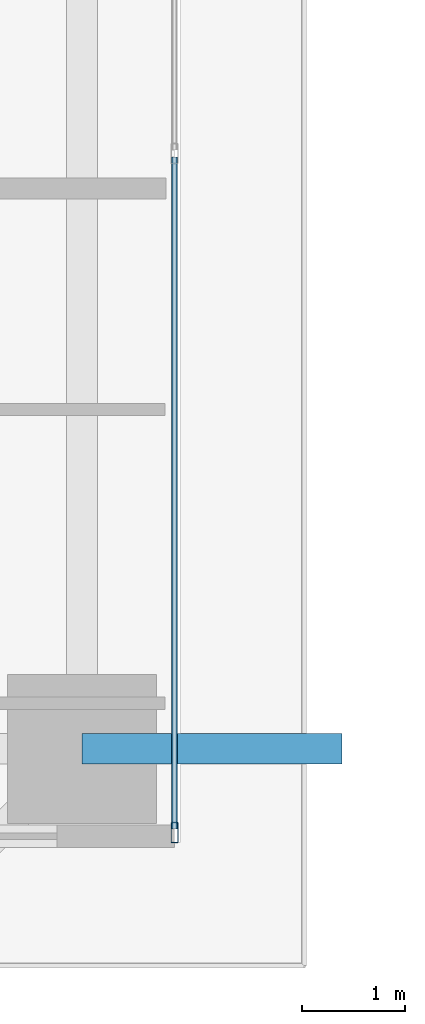
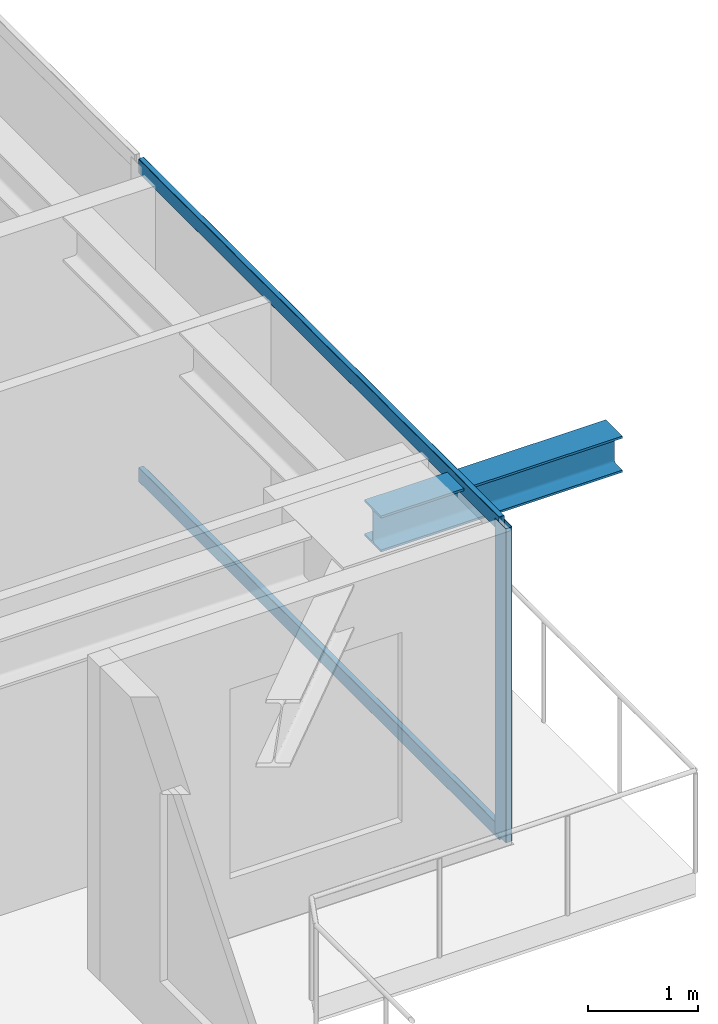
# One storey, part 13 of 41: 3 members, 1 beam, 1 element without a shape of its own.
"""IFC4 building model written with IfcOpenShell, lengths in metres."""

import ifcopenshell
import ifcopenshell.guid

model = None  # the IFC model being written
_history = None  # IfcOwnerHistory: only IFC2X3 demands one
_inside = {}  # id of a spatial element -> (the spatial element, [elements in it])
_under = {}  # id of a project, library or spatial element -> (it, [spatial elements below it])
_declared = {}  # id of a project -> (the project, [libraries it declares])
_typed = {}  # id of a type object -> (the type object, [elements of that type])
_made_of = {}  # id of a material, layer set ... -> (it, [elements and type objects made of it])


def new_model(schema):
    """Start an empty IFC model of exactly this schema.

    Asked for "IFC4X3", IfcOpenShell would pick the latest addendum, in which some entities
    have other attributes; the version numbers below select the first issue.
    IFC2X3 requires an IfcOwnerHistory on every rooted entity: one is made here for all.
    """
    global model, _history
    if schema == "IFC4X3":
        model = ifcopenshell.file(schema_version=(4, 3, 0, 0))
    else:
        model = ifcopenshell.file(schema=schema)
    _inside.clear()
    _under.clear()
    _declared.clear()
    _typed.clear()
    _made_of.clear()
    _history = None
    if model.schema == "IFC2X3":
        org = make("IfcOrganization", Name="unknown")
        user = make(
            "IfcPersonAndOrganization",
            ThePerson=make("IfcPerson", FamilyName="unknown"),
            TheOrganization=org,
        )
        app = make(
            "IfcApplication",
            ApplicationDeveloper=org,
            Version="unknown",
            ApplicationFullName="unknown",
            ApplicationIdentifier="unknown",
        )
        _history = make(
            "IfcOwnerHistory",
            OwningUser=user,
            OwningApplication=app,
            ChangeAction="ADDED",
            CreationDate=0,
        )
    return model


def make(cls, **values):
    """One entity of the class cls with the attributes given. An attribute that is None is left unset."""
    return model.create_entity(
        cls, **{name: value for name, value in values.items() if value is not None}
    )


def rooted(cls, **values):
    """An entity with a GlobalId (a new one), such as an element, a storey or a relation."""
    return make(cls, GlobalId=ifcopenshell.guid.new(), OwnerHistory=_history, **values)


def si_unit(unit_type, name, prefix=None):
    """IfcSIUnit, for example si_unit("LENGTHUNIT", "METRE", prefix="MILLI")."""
    return make("IfcSIUnit", UnitType=unit_type, Prefix=prefix, Name=name)


def assignment(units):
    """IfcUnitAssignment: the units of a project."""
    return None if units is None else make("IfcUnitAssignment", Units=units)


def point(xyz):
    """IfcCartesianPoint."""
    return None if xyz is None else make("IfcCartesianPoint", Coordinates=xyz)


def direction(xyz):
    """IfcDirection."""
    return None if xyz is None else make("IfcDirection", DirectionRatios=xyz)


def frame(location, z_axis=None, x_axis=None):
    """IfcAxis2Placement3D, a coordinate frame: its origin and axes. An axis left out is left unset."""
    return make(
        "IfcAxis2Placement3D",
        Location=point(location),
        Axis=direction(z_axis),
        RefDirection=direction(x_axis),
    )


def frame_2d(location, x_axis=None):
    """IfcAxis2Placement2D, a coordinate frame in the plane: its origin and x axis."""
    return make(
        "IfcAxis2Placement2D", Location=point(location), RefDirection=direction(x_axis)
    )


def origin():
    """The frame at (0, 0, 0) with its axes left unset."""
    return frame((0.0, 0.0, 0.0))


def origin_2d():
    """The frame at (0, 0) in the plane with its x axis left unset."""
    return frame_2d((0.0, 0.0))


def place(relative_to, where):
    """IfcLocalPlacement: puts the frame where relative to a parent placement (None: the world)."""
    return make(
        "IfcLocalPlacement", PlacementRelTo=relative_to, RelativePlacement=where
    )


def context(
    kind, dimensions, precision=None, world=None, true_north=None, identifier=None
):
    """IfcGeometricRepresentationContext, for example the 3D "Model" context."""
    return make(
        "IfcGeometricRepresentationContext",
        ContextIdentifier=identifier,
        ContextType=kind,
        CoordinateSpaceDimension=dimensions,
        Precision=precision,
        WorldCoordinateSystem=world,
        TrueNorth=true_north,
    )


def subcontext(parent, identifier, kind, view, scale=None):
    """IfcGeometricRepresentationSubContext, for example "Body" below "Model"."""
    return make(
        "IfcGeometricRepresentationSubContext",
        ContextIdentifier=identifier,
        ContextType=kind,
        ParentContext=parent,
        TargetScale=scale,
        TargetView=view,
    )


def project(units=None, contexts=None):
    """IfcProject with its units and contexts."""
    return rooted(
        "IfcProject",
        Name="project",
        RepresentationContexts=contexts,
        UnitsInContext=assignment(units),
    )


def spatial(cls, under=None, at=None, **own):
    """A site, building, storey or space (cls), placed at a placement, below another one or the project."""
    s = rooted(cls, ObjectPlacement=at, **own)
    if under is not None:
        _under.setdefault(under.id(), (under, []))[1].append(s)
    return s


def profile(cls, at=None, kind="AREA", **sizes):
    """A parametric profile (cls). Its sizes go by their IFC names, for example OverallWidth=200.0."""
    return make(cls, ProfileType=kind, Position=at, **sizes)


def hollow_rectangle(**sizes):
    """IfcRectangleHollowProfileDef."""
    return profile("IfcRectangleHollowProfileDef", **sizes)


def i_section(**sizes):
    """IfcIShapeProfileDef."""
    return profile("IfcIShapeProfileDef", **sizes)


def extrude(swept, where, along, depth):
    """IfcExtrudedAreaSolid: the profile swept, set in the frame where, extruded along a direction by depth."""
    return make(
        "IfcExtrudedAreaSolid",
        SweptArea=swept,
        Position=where,
        ExtrudedDirection=direction(along),
        Depth=depth,
    )


def shape(context_of_items, identifier, shape_type, items):
    """IfcShapeRepresentation: the items that make up one representation, for example the "Body"."""
    return make(
        "IfcShapeRepresentation",
        ContextOfItems=context_of_items,
        RepresentationIdentifier=identifier,
        RepresentationType=shape_type,
        Items=items,
    )


def source(mapping_origin, context_of_items, identifier, shape_type, items):
    """IfcRepresentationMap: a shape defined once, which mapped items show again and again."""
    return make(
        "IfcRepresentationMap",
        MappingOrigin=mapping_origin,
        MappedRepresentation=shape(context_of_items, identifier, shape_type, items),
    )


def transform(
    local_origin,
    x_axis=None,
    y_axis=None,
    z_axis=None,
    scale=None,
    scale2=None,
    scale3=None,
    uniform=True,
):
    """IfcCartesianTransformationOperator3D, or its non-uniform kind. x_axis, y_axis, z_axis: its Axis1, 2, 3."""
    if uniform:
        return make(
            "IfcCartesianTransformationOperator3D",
            Axis1=direction(x_axis),
            Axis2=direction(y_axis),
            LocalOrigin=point(local_origin),
            Scale=scale,
            Axis3=direction(z_axis),
        )
    return make(
        "IfcCartesianTransformationOperator3DnonUniform",
        Axis1=direction(x_axis),
        Axis2=direction(y_axis),
        LocalOrigin=point(local_origin),
        Scale=scale,
        Axis3=direction(z_axis),
        Scale2=scale2,
        Scale3=scale3,
    )


def mapped(mapping_source, mapping_target):
    """IfcMappedItem: shows the shape of a source again, moved by a transform."""
    return make(
        "IfcMappedItem", MappingSource=mapping_source, MappingTarget=mapping_target
    )


def material(Name=None, Category=None):
    """IfcMaterial."""
    return make("IfcMaterial", Name=Name, Category=Category)


def layer(
    of_material, thickness, ventilated=None, Name=None, Category=None, Priority=None
):
    """IfcMaterialLayer: one layer of a wall or slab, of a material (None: an air gap)."""
    return make(
        "IfcMaterialLayer",
        Material=of_material,
        LayerThickness=thickness,
        IsVentilated=ventilated,
        Name=Name,
        Category=Category,
        Priority=Priority,
    )


def layer_set(layers, Name=None):
    """IfcMaterialLayerSet."""
    return make("IfcMaterialLayerSet", MaterialLayers=layers, LayerSetName=Name)


def material_profile(
    of_material, cross_section, Name=None, Category=None, Priority=None
):
    """IfcMaterialProfile: a cross section and its material."""
    return make(
        "IfcMaterialProfile",
        Name=Name,
        Material=of_material,
        Profile=cross_section,
        Priority=Priority,
        Category=Category,
    )


def profile_set(profiles, Name=None, composite=None):
    """IfcMaterialProfileSet."""
    return make(
        "IfcMaterialProfileSet",
        Name=Name,
        MaterialProfiles=profiles,
        CompositeProfile=composite,
    )


def made_of(thing, what):
    """Note that an element or type object is made of a material, layer set ...; save() writes the relation."""
    if what is not None:
        _made_of.setdefault(what.id(), (what, []))[1].append(thing)
    return thing


def type_object(cls, material=None, **own):
    """A type object (cls), such as IfcWallType, which elements share."""
    return made_of(rooted(cls, **own), material)


def element(
    cls,
    number,
    at=None,
    inside=None,
    cuts=None,
    type_object=None,
    material=None,
    context=None,
    identifier="Body",
    shape_type=None,
    held_by="IfcProductDefinitionShape",
    body=None,
    shapes=None,
    **own,
):
    """One element of the class cls, such as IfcWall. Its Tag is "e" and its number.

    at: its placement. inside: the storey or other place that contains it. cuts: it is an
    opening in that element (IfcRelVoidsElement). A single representation is given by context,
    identifier, shape_type and body (its items); several are given by shapes. held_by: the class
    of the entity that holds the representations. save() writes the other relations.
    """
    e = rooted(cls, Tag="e%d" % number, ObjectPlacement=at, **own)
    if body is not None:
        shapes = [shape(context, identifier, shape_type, body)]
    if shapes is not None:
        e.Representation = make(held_by, Representations=shapes)
    if inside is not None:
        _inside.setdefault(inside.id(), (inside, []))[1].append(e)
    if cuts is not None:
        rooted(
            "IfcRelVoidsElement", RelatingBuildingElement=cuts, RelatedOpeningElement=e
        )
    if type_object is not None:
        _typed.setdefault(type_object.id(), (type_object, []))[1].append(e)
    return made_of(e, material)


def aggregate(whole, parts):
    """IfcRelAggregates: a whole, such as a stair, and the parts it consists of."""
    return rooted("IfcRelAggregates", RelatingObject=whole, RelatedObjects=parts)


def save(model, path):
    """Write the relations noted so far, then the file.

    IfcRelAggregates (storeys below a building ...), IfcRelContainedInSpatialStructure (elements
    in a storey), IfcRelDefinesByType, IfcRelAssociatesMaterial and IfcRelDeclares: one each for
    every whole, place, type object, material and project.
    """
    for whole, parts in _under.values():
        aggregate(whole, parts)
    for where, things in _inside.values():
        rooted(
            "IfcRelContainedInSpatialStructure",
            RelatedElements=things,
            RelatingStructure=where,
        )
    for kind, things in _typed.values():
        rooted("IfcRelDefinesByType", RelatedObjects=things, RelatingType=kind)
    for what, things in _made_of.values():
        rooted("IfcRelAssociatesMaterial", RelatedObjects=things, RelatingMaterial=what)
    for by, libraries in _declared.values():
        rooted("IfcRelDeclares", RelatingContext=by, RelatedDefinitions=libraries)
    model.write(path)


model = new_model("IFC4")

# Units and contexts
model_context = context("Model", 3, precision=1e-05, world=origin(), true_north=direction((0.0, 1.0)))
body_context = subcontext(model_context, "Body", "Model", "MODEL_VIEW")
ifc_project = project(units=[si_unit("LENGTHUNIT", "METRE"), si_unit("AREAUNIT", "SQUARE_METRE"), si_unit("VOLUMEUNIT", "CUBIC_METRE"), si_unit("PLANEANGLEUNIT", "RADIAN"), si_unit("MASSUNIT", "GRAM", prefix="KILO")], contexts=[model_context])

# Site, building, storey
site_placement = place(None, origin())
site = spatial("IfcSite", under=ifc_project, at=site_placement, CompositionType="ELEMENT")
building_placement = place(site_placement, origin())
building = spatial("IfcBuilding", under=site, at=building_placement, Name="Serunith Strait Residences", CompositionType="ELEMENT")
storey_placement = place(building_placement, frame((0.0, 0.0, 45.449951171875)))
storey = spatial("IfcBuildingStorey", under=building, at=storey_placement, Name="L10", CompositionType="ELEMENT", Elevation=45.449951171875)

# Beam
ifc_material_1 = material(Name="Steel S355J2", Category="steel")
ifc_material_profile_1 = material_profile(ifc_material_1, i_section(OverallWidth=0.300048828125, OverallDepth=0.39990234375, WebThickness=0.013427734375, FlangeThickness=0.02392578125, FilletRadius=0.027099609375, at=origin_2d()), Name="HEB 400")
ifc_profile_set_1 = profile_set([ifc_material_profile_1], Name="Steel S355J2")
beam_type = type_object("IfcBeamType", Name="BM-HEB400", PredefinedType="BEAM", material=ifc_profile_set_1)
shared_shape_1 = source(origin(), body_context, "Body", "SweptSolid", [
    extrude(i_section(OverallWidth=0.300048828125, OverallDepth=0.39990234375, WebThickness=0.013427734375, FlangeThickness=0.02392578125, FilletRadius=0.027099609375, at=origin_2d()), origin(), (0.0, 0.0, 1.0), 2.527587890625),
])
beam_placement = place(storey_placement, frame((57.89990234375, 9.449951171875, 3.257080078125), z_axis=(1.0, 0.0, 0.0), x_axis=(0.0, 1.0, 0.0)))
element("IfcBeam", 1, at=beam_placement, inside=storey, type_object=beam_type, Name="L11 Cantilevered Balcony Rib TC-E1", PredefinedType="BEAM", context=body_context, shape_type="MappedRepresentation", body=[
    mapped(shared_shape_1, transform((0.0, 0.0, 0.0), scale=1.0)),
])

# Curtain wall, members
ifc_material_2 = material(Name="Pale-Champagne Anodised Aluminium", Category="aluminium")
ifc_layer = layer(ifc_material_2, 0.199951171875, Name="Pale-Champagne Anodised Aluminium")
ifc_layer_set = layer_set([ifc_layer], Name="Pale-Champagne Anodised Aluminium")
curtain_wall_type = type_object("IfcCurtainWallType", Name="CW-SYS1", PredefinedType="NOTDEFINED", material=ifc_layer_set)
curtain_wall_placement = place(storey_placement, origin())
curtain_wall = element("IfcCurtainWall", 2, at=curtain_wall_placement, inside=storey, type_object=curtain_wall_type, Name="L10 E Unitised Fritted Curtain Wall", PredefinedType="NOTDEFINED")
ifc_material_profile_2 = material_profile(ifc_material_2, hollow_rectangle(XDim=0.070068359375, YDim=0.199951171875, WallThickness=0.00390625, InnerFilletRadius=0.006103515625, OuterFilletRadius=0.010009765625, at=origin_2d()), Name="ALU 200x70x4")
ifc_profile_set_2 = profile_set([ifc_material_profile_2], Name="Pale-Champagne Anodised Aluminium")
member_type_1 = type_object("IfcMemberType", Name="CW-SYS1-MULL", PredefinedType="MULLION", material=ifc_profile_set_2)
shared_shape_2 = source(origin(), body_context, "Body", "SweptSolid", [
    extrude(hollow_rectangle(XDim=0.070068359375, YDim=0.199951171875, WallThickness=0.00390625, InnerFilletRadius=0.006103515625, OuterFilletRadius=0.010009765625, at=origin_2d()), origin(), (0.0, 0.0, 1.0), 3.47509765625),
])
member_1_placement = place(storey_placement, frame((58.800048828125, 8.635009765625, 0.0), z_axis=(0.0, 0.0, 1.0), x_axis=(-1.0, 0.0, 0.0)))
member_1 = element("IfcMember", 3, at=member_1_placement, type_object=member_type_1, Name="CW-1 mullion 1", PredefinedType="MULLION", context=body_context, shape_type="MappedRepresentation", body=[
    mapped(shared_shape_2, transform((0.0, 0.0, 0.0), scale=1.0)),
])
ifc_material_profile_3 = material_profile(ifc_material_2, hollow_rectangle(XDim=0.06005859375, YDim=0.159912109375, WallThickness=0.00341796875, InnerFilletRadius=0.00537109375, OuterFilletRadius=0.0087890625, at=origin_2d()), Name="ALU 160x60x3.5")
ifc_profile_set_3 = profile_set([ifc_material_profile_3], Name="Pale-Champagne Anodised Aluminium")
member_type_2 = type_object("IfcMemberType", Name="CW-SYS1-TRAN", PredefinedType="USERDEFINED", material=ifc_profile_set_3)
shared_shape_3 = source(origin(), body_context, "Body", "SweptSolid", [
    extrude(hollow_rectangle(XDim=0.06005859375, YDim=0.159912109375, WallThickness=0.00341796875, InnerFilletRadius=0.00537109375, OuterFilletRadius=0.0087890625, at=origin_2d()), origin(), (0.0, 0.0, 1.0), 6.53515625),
])
member_2_placement = place(storey_placement, frame((58.800048828125, 8.669921875, 0.030029296875), z_axis=(0.0, 1.0, 0.0), x_axis=(-1.0, 0.0, 0.0)))
member_2 = element("IfcMember", 4, at=member_2_placement, type_object=member_type_2, Name="CW-1 transom 1.1", ObjectType="TRANSOM", PredefinedType="USERDEFINED", context=body_context, shape_type="MappedRepresentation", body=[
    mapped(shared_shape_3, transform((0.0, 0.0, 0.0), scale=1.0)),
])
member_3_placement = place(storey_placement, frame((58.800048828125, 8.669921875, 3.445068359375), z_axis=(0.0, 1.0, 0.0), x_axis=(-1.0, 0.0, 0.0)))
member_3 = element("IfcMember", 5, at=member_3_placement, type_object=member_type_2, Name="CW-1 transom 1.2", ObjectType="TRANSOM", PredefinedType="USERDEFINED", context=body_context, shape_type="MappedRepresentation", body=[
    mapped(shared_shape_3, transform((0.0, 0.0, 0.0), scale=1.0)),
])
aggregate(curtain_wall, [member_1, member_2, member_3])

save(model, "model.ifc")
